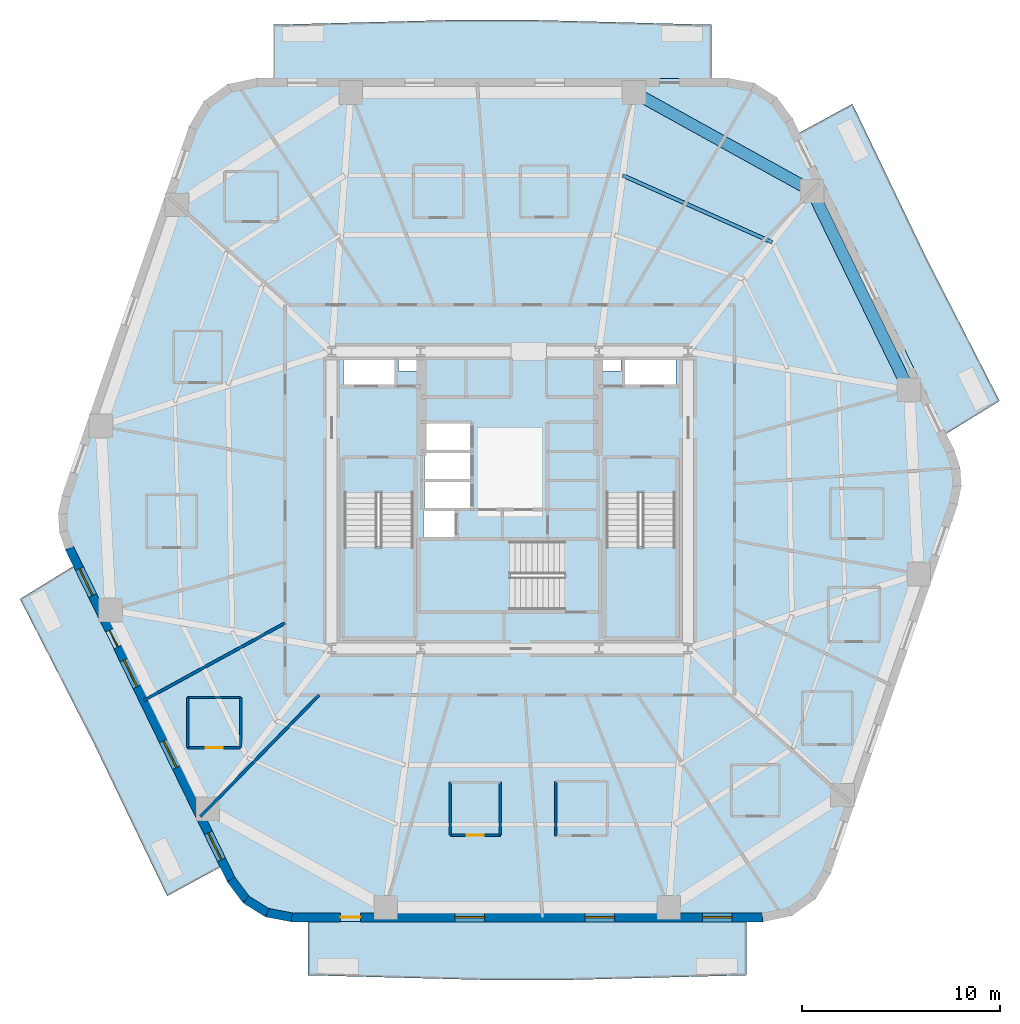
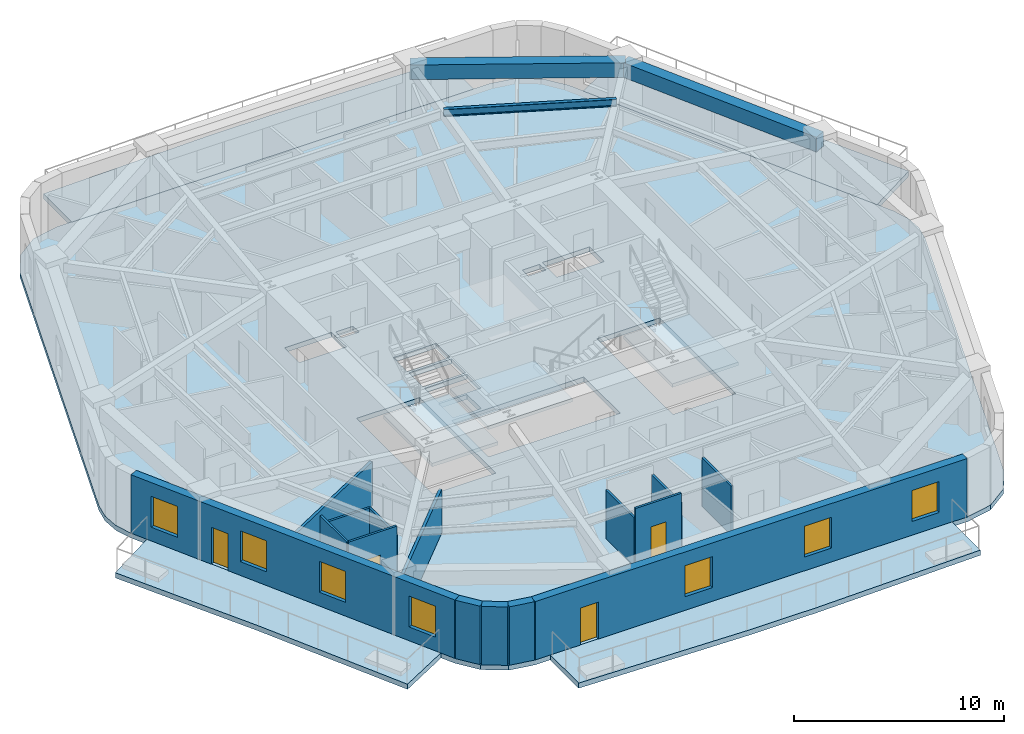
# One storey, part 2 of 10: 15 walls, 8 slabs, 7 windows, 4 doors, 3 beams, 11 openings, 3 elements without a shape of their own.
"""IFC4 building model written with IfcOpenShell, lengths in metres."""

from ifc_helpers import new_model, si_unit, direction, frame, frame_2d, origin, origin_2d, place, context, subcontext, project, spatial, polyline, rectangle, i_section, outline, extrude, material, layer, layer_set, material_profile, profile_set, type_object, element, fill, aggregate, save


model = new_model("IFC4")

# Units and contexts
model_context = context("Model", 3, precision=1e-05, world=origin(), true_north=direction((0.0, 1.0)))
body_context = subcontext(model_context, "Body", "Model", "MODEL_VIEW")
ifc_project = project(units=[si_unit("LENGTHUNIT", "METRE"), si_unit("AREAUNIT", "SQUARE_METRE"), si_unit("VOLUMEUNIT", "CUBIC_METRE"), si_unit("PLANEANGLEUNIT", "RADIAN"), si_unit("MASSUNIT", "GRAM", prefix="KILO")], contexts=[model_context])

# Site, building, storey
site_placement = place(None, origin())
site = spatial("IfcSite", under=ifc_project, at=site_placement, CompositionType="ELEMENT")
building_placement = place(site_placement, origin())
building = spatial("IfcBuilding", under=site, at=building_placement, Name="Kilnhurst Terrace Hotel", CompositionType="ELEMENT")
storey_placement = place(building_placement, frame((0.0, 0.0, 95.10009765625)))
storey = spatial("IfcBuildingStorey", under=building, at=storey_placement, Name="L22", CompositionType="ELEMENT", Elevation=95.10009765625)

# Beams
ifc_material_1 = material(Name="Concrete C50/60", Category="concrete")
ifc_material_profile_1 = material_profile(ifc_material_1, rectangle(XDim=0.60009765625, YDim=0.85009765625, at=origin_2d()), Name="RC600X850")
ifc_profile_set_1 = profile_set([ifc_material_profile_1], Name="Concrete C50/60")
beam_type_1 = type_object("IfcBeamType", Name="BM-SPN-600X850", PredefinedType="SPANDREL", material=ifc_profile_set_1)
beam_1_placement = place(storey_placement, frame((20.1640625, 5.549072265625, 2.974853515625), z_axis=(-0.438406012271, 0.89877704043, 0.0), x_axis=(-0.89877704043, -0.438406012271, 0.0)))
element("IfcBeam", 1, at=beam_1_placement, inside=storey, type_object=beam_type_1, Name="L22 Perimeter Spandrel Beam 5", PredefinedType="SPANDREL", context=body_context, shape_type="SweptSolid", body=[
    extrude(rectangle(XDim=0.60009765625, YDim=0.85009765625, at=origin_2d()), origin(), (0.0, 0.0, 1.0), 11.19287109375),
])
beam_2_placement = place(storey_placement, frame((15.257080078125, 15.60888671875, 2.974853515625), z_axis=(-0.875094010429, 0.483952965598, 0.0), x_axis=(-0.483952965598, -0.875094010429, 0.0)))
element("IfcBeam", 2, at=beam_2_placement, inside=storey, type_object=beam_type_1, Name="L22 Perimeter Spandrel Beam 6", PredefinedType="SPANDREL", context=body_context, shape_type="SweptSolid", body=[
    extrude(rectangle(XDim=0.60009765625, YDim=0.85009765625, at=origin_2d()), origin(), (0.0, 0.0, 1.0), 10.27197265625),
])
ifc_material_2 = material(Name="Steel ASTM A992 Grade 50", Category="steel")
ifc_material_profile_2 = material_profile(ifc_material_2, i_section(OverallWidth=0.180908203125, OverallDepth=0.417236328125, WebThickness=0.010986328125, FlangeThickness=0.018310546875, at=origin_2d()), Name="W16X57")
ifc_profile_set_2 = profile_set([ifc_material_profile_2], Name="Steel ASTM A992 Grade 50")
beam_type_2 = type_object("IfcBeamType", Name="JST-STL-W16X57", PredefinedType="JOIST", material=ifc_profile_set_2)
beam_3_placement = place(storey_placement, frame((13.2548828125, 13.01416015625, 3.19091796875), z_axis=(-0.912760935806, 0.408494154262, 0.0), x_axis=(-0.408494154262, -0.912760935806, 0.0)))
element("IfcBeam", 3, at=beam_3_placement, inside=storey, type_object=beam_type_2, Name="L22 Secondary Floor Steel Joist OUT.6", PredefinedType="JOIST", context=body_context, shape_type="SweptSolid", body=[
    extrude(i_section(OverallWidth=0.180908203125, OverallDepth=0.417236328125, WebThickness=0.010986328125, FlangeThickness=0.018310546875, at=origin_2d()), origin(), (0.0, 0.0, 1.0), 8.274658203125),
])

# Slabs
ifc_layer_1 = layer(ifc_material_1, 0.300048828125, Name="Concrete C50/60")
ifc_layer_set_1 = layer_set([ifc_layer_1], Name="Concrete C50/60")
slab_type_1 = type_object("IfcSlabType", Name="SLB-BAL-300", PredefinedType="FLOOR", material=ifc_layer_set_1)
slab_1_placement = place(storey_placement, frame((0.0, 0.0, -0.300048828125)))
element("IfcSlab", 4, at=slab_1_placement, inside=storey, type_object=slab_type_1, Name="L22 Cantilevered Planted Terrace Slab BAL-L1A", PredefinedType="FLOOR", context=body_context, shape_type="SweptSolid", body=[
    extrude(outline(polyline([(21.044921875, 12.205810546875), (24.734130859375, 5.0), (22.023193359375, 3.333740234375), (14.6083984375, 18.53564453125), (17.301513671875, 20.0), (21.044921875, 12.205810546875)])), origin(), (0.0, 0.0, 1.0), 0.300048828125),
])
slab_2_placement = place(storey_placement, frame((0.0, 0.0, -0.300048828125)))
element("IfcSlab", 5, at=slab_2_placement, inside=storey, type_object=slab_type_1, Name="L22 Cantilevered Planted Terrace Slab BAL-L1B", PredefinedType="FLOOR", context=body_context, shape_type="SweptSolid", body=[
    extrude(outline(polyline([(1.027099609375, 24.239990234375), (10.18310546875, 24.0), (10.18310546875, 21.280029296875), (-11.943603515625, 21.280029296875), (-11.943603515625, 24.0), (-2.787841796875, 24.239990234375), (1.027099609375, 24.239990234375)])), origin(), (0.0, 0.0, 1.0), 0.300048828125),
])
slab_3_placement = place(storey_placement, frame((0.0, 0.0, -0.300048828125)))
element("IfcSlab", 6, at=slab_3_placement, inside=storey, type_object=slab_type_1, Name="L22 Cantilevered Planted Terrace Slab BAL-L2A", PredefinedType="FLOOR", context=body_context, shape_type="SweptSolid", body=[
    extrude(outline(polyline([(-24.734130859375, -5.0), (-22.023193359375, -3.333740234375), (-14.6083984375, -18.53564453125), (-17.301513671875, -20.0), (-21.044921875, -12.205810546875), (-24.734130859375, -5.0)])), origin(), (0.0, 0.0, 1.0), 0.300048828125),
])
slab_4_placement = place(storey_placement, frame((0.0, 0.0, -0.300048828125)))
element("IfcSlab", 7, at=slab_4_placement, inside=storey, type_object=slab_type_1, Name="L22 Cantilevered Planted Terrace Slab BAL-L2B", PredefinedType="FLOOR", context=body_context, shape_type="SweptSolid", body=[
    extrude(outline(polyline([(-1.027099609375, -24.239990234375), (-10.18310546875, -24.0), (-10.18310546875, -21.280029296875), (11.943603515625, -21.280029296875), (11.943603515625, -24.0), (2.787841796875, -24.239990234375), (-1.027099609375, -24.239990234375)])), origin(), (0.0, 0.0, 1.0), 0.300048828125),
])
ifc_layer_2 = layer(ifc_material_1, 0.280029296875, Name="Concrete C50/60")
ifc_layer_set_2 = layer_set([ifc_layer_2], Name="Concrete C50/60")
slab_type_2 = type_object("IfcSlabType", Name="SLB-FLR-280", PredefinedType="FLOOR", material=ifc_layer_set_2)
slab_5_placement = place(storey_placement, frame((0.0, 0.0, -0.280029296875)))
element("IfcSlab", 8, at=slab_5_placement, inside=storey, type_object=slab_type_2, Name="L22 Structural Floor Slab", PredefinedType="FLOOR", context=body_context, shape_type="SweptSolid", body=[
    extrude(outline(polyline([(-14.2685546875, -19.2783203125), (-13.472900390625, -20.34716796875), (-12.342529296875, -21.05322265625), (-11.032958984375, -21.300048828125), (12.793701171875, -21.300048828125), (14.23876953125, -20.997314453125), (15.44091796875, -20.139892578125), (16.197509765625, -18.872314453125), (22.614501953125, -0.238525390625), (22.8017578125, 0.6826171875), (22.744384765625, 1.62060546875), (22.4462890625, 2.51171875), (14.2685546875, 19.2783203125), (13.472900390625, 20.34716796875), (12.342529296875, 21.05322265625), (11.032958984375, 21.300048828125), (-12.793701171875, 21.300048828125), (-14.23876953125, 20.997314453125), (-15.44091796875, 20.139892578125), (-16.197509765625, 18.872314453125), (-22.614501953125, 0.238525390625), (-22.8017578125, -0.6826171875), (-22.744384765625, -1.62060546875), (-22.4462890625, -2.51171875), (-14.2685546875, -19.2783203125)]), holes=[polyline([(-8.35009765625, 0.35498046875), (-4.8798828125, 0.35498046875), (-4.8798828125, -6.89990234375), (-8.35009765625, -6.89990234375), (-8.35009765625, 0.35498046875)]), polyline([(-2.800048828125, -1.89990234375), (-4.35009765625, -1.89990234375), (-4.35009765625, -0.550048828125), (-2.800048828125, -0.550048828125), (-2.800048828125, -1.89990234375)]), polyline([(-1.949951171875, -0.429931640625), (-4.300048828125, -0.429931640625), (-4.300048828125, 0.89990234375), (-1.949951171875, 0.89990234375), (-1.949951171875, -0.429931640625)]), polyline([(-4.300048828125, 1.050048828125), (-4.300048828125, 2.3798828125), (-1.949951171875, 2.3798828125), (-1.949951171875, 1.050048828125), (-4.300048828125, 1.050048828125)]), polyline([(-8.39990234375, 5.75), (-8.39990234375, 7.14990234375), (-5.800048828125, 7.14990234375), (-5.800048828125, 5.75), (-8.39990234375, 5.75)]), polyline([(-4.659912109375, 6.52001953125), (-5.6201171875, 6.52001953125), (-5.6201171875, 7.080078125), (-4.659912109375, 7.080078125), (-4.659912109375, 6.52001953125)]), polyline([(2.7548828125, -5.550048828125), (-4.5, -5.550048828125), (-4.5, -2.080078125), (2.7548828125, -2.080078125), (2.7548828125, -5.550048828125)]), polyline([(8.35009765625, 0.35498046875), (8.35009765625, -6.89990234375), (4.8798828125, -6.89990234375), (4.8798828125, 0.35498046875), (8.35009765625, 0.35498046875)]), polyline([(-1.949951171875, 2.530029296875), (-4.300048828125, 2.530029296875), (-4.300048828125, 3.860107421875), (-1.949951171875, 3.860107421875), (-1.949951171875, 2.530029296875)]), polyline([(5.800048828125, 5.75), (5.800048828125, 7.14990234375), (8.39990234375, 7.14990234375), (8.39990234375, 5.75), (5.800048828125, 5.75)]), polyline([(4.659912109375, 6.52001953125), (4.659912109375, 7.080078125), (5.6201171875, 7.080078125), (5.6201171875, 6.52001953125), (4.659912109375, 6.52001953125)])]), origin(), (0.0, 0.0, 1.0), 0.280029296875),
])

# Stair, slab
stair_type = type_object("IfcStairType", Name="STR-CORE-1660", PredefinedType="HALF_TURN_STAIR", material=ifc_material_1)
stair_1_placement = place(storey_placement, origin())
stair_1 = element("IfcStair", 9, at=stair_1_placement, inside=storey, type_object=stair_type, Name="L22 ST-1", PredefinedType="HALF_TURN_STAIR")
ifc_layer_3 = layer(ifc_material_1, 0.199951171875, Name="Concrete C50/60")
ifc_layer_set_3 = layer_set([ifc_layer_3], Name="Concrete C50/60")
slab_type_3 = type_object("IfcSlabType", Name="SLB-ST-LND-200", PredefinedType="LANDING", material=ifc_layer_set_3)
slab_6_placement = place(storey_placement, frame((0.0, 0.0, 1.64990234375)))
slab_6 = element("IfcSlab", 10, at=slab_6_placement, type_object=slab_type_3, Name="ST-1 landing 1", PredefinedType="LANDING", context=body_context, shape_type="SweptSolid", body=[
    extrude(outline(polyline([(-8.429931640625, -2.330078125), (-4.800048828125, -2.330078125), (-4.800048828125, -6.97998046875), (-8.429931640625, -6.97998046875), (-8.429931640625, -2.330078125)])), origin(), (0.0, 0.0, 1.0), 0.199951171875),
])
aggregate(stair_1, [slab_6])

stair_2_placement = place(storey_placement, origin())
stair_2 = element("IfcStair", 11, at=stair_2_placement, inside=storey, type_object=stair_type, Name="L22 ST-2", PredefinedType="HALF_TURN_STAIR")
slab_7_placement = place(storey_placement, frame((0.0, 0.0, 1.64990234375)))
slab_7 = element("IfcSlab", 12, at=slab_7_placement, type_object=slab_type_3, Name="ST-2 landing 1", PredefinedType="LANDING", context=body_context, shape_type="SweptSolid", body=[
    extrude(outline(polyline([(4.800048828125, -2.330078125), (8.429931640625, -2.330078125), (8.429931640625, -6.97998046875), (4.800048828125, -6.97998046875), (4.800048828125, -2.330078125)])), origin(), (0.0, 0.0, 1.0), 0.199951171875),
])
aggregate(stair_2, [slab_7])

stair_3_placement = place(storey_placement, origin())
stair_3 = element("IfcStair", 13, at=stair_3_placement, inside=storey, type_object=stair_type, Name="L22 ST-3", PredefinedType="HALF_TURN_STAIR")
slab_8_placement = place(storey_placement, frame((0.0, 0.0, 1.64990234375)))
slab_8 = element("IfcSlab", 14, at=slab_8_placement, type_object=slab_type_3, Name="ST-3 landing 1", PredefinedType="LANDING", context=body_context, shape_type="SweptSolid", body=[
    extrude(outline(polyline([(0.070068359375, -2.0), (0.070068359375, -5.6298828125), (-4.580078125, -5.6298828125), (-4.580078125, -2.0), (0.070068359375, -2.0)])), origin(), (0.0, 0.0, 1.0), 0.199951171875),
])
aggregate(stair_3, [slab_8])

# Walls
ifc_material_3 = material(Name="Precast concrete C40/50", Category="concrete")
ifc_layer_4 = layer(ifc_material_3, 0.449951171875, Name="Precast concrete C40/50")
ifc_layer_set_4 = layer_set([ifc_layer_4], Name="Precast concrete C40/50")
wall_type_1 = type_object("IfcWallType", Name="WL-BRK-450", PredefinedType="SOLIDWALL", material=ifc_layer_set_4)
wall_1_placement = place(storey_placement, frame((-14.07568359375, -19.16064453125, 0.0), z_axis=(0.0, 0.0, 1.0), x_axis=(0.597226657159, -0.802072515412, 0.0)))
element("IfcWall", 15, at=wall_1_placement, inside=storey, type_object=wall_type_1, Name="L22 Rounded Corner Brick Wall C1.1", PredefinedType="SOLIDWALL", context=body_context, shape_type="SweptSolid", body=[
    extrude(rectangle(XDim=1.269287109375, YDim=0.449951171875, at=frame_2d((0.634765625, 0.0))), origin(), (0.0, 0.0, 1.0), 3.39990234375),
])
wall_2_placement = place(storey_placement, frame((-13.317626953125, -20.1787109375, 0.0), z_axis=(0.0, 0.0, 1.0), x_axis=(0.848031272749, -0.529946186362, 0.0)))
element("IfcWall", 16, at=wall_2_placement, inside=storey, type_object=wall_type_1, Name="L22 Rounded Corner Brick Wall C1.2", PredefinedType="SOLIDWALL", context=body_context, shape_type="SweptSolid", body=[
    extrude(rectangle(XDim=1.248046875, YDim=0.449951171875, at=frame_2d((0.6240234375, 0.0))), origin(), (0.0, 0.0, 1.0), 3.39990234375),
])
wall_3_placement = place(storey_placement, frame((-12.25927734375, -20.840087890625, 0.0), z_axis=(0.0, 0.0, 1.0), x_axis=(0.982730354425, -0.185043374624, 0.0)))
element("IfcWall", 17, at=wall_3_placement, inside=storey, type_object=wall_type_1, Name="L22 Rounded Corner Brick Wall C1.3", PredefinedType="SOLIDWALL", context=body_context, shape_type="SweptSolid", body=[
    extrude(rectangle(XDim=1.269287109375, YDim=0.449951171875, at=frame_2d((0.634765625, 0.0))), origin(), (0.0, 0.0, 1.0), 3.39990234375),
])

# Wall, openings, door, windows
wall_4_placement = place(storey_placement, frame((-11.011962890625, -21.074951171875, 0.0), z_axis=(0.0, 0.0, 1.0), x_axis=(1.0, 0.0, 0.0)))
wall_4 = element("IfcWall", 18, at=wall_4_placement, inside=storey, type_object=wall_type_1, Name="L22 Exterior Brick Facade Wall F1", PredefinedType="SOLIDWALL", context=body_context, shape_type="SweptSolid", body=[
    extrude(rectangle(XDim=23.782470703125, YDim=0.449951171875, at=frame_2d((11.89111328125, 0.0))), origin(), (0.0, 0.0, 1.0), 3.39990234375),
])
opening_1_placement = place(wall_4_placement, frame((2.472900390625, 0.0, 0.0)))
opening_1 = element("IfcOpeningElement", 19, at=opening_1_placement, cuts=wall_4, Name="Opening BD-1000", PredefinedType="OPENING", context=body_context, shape_type="SweptSolid", body=[
    extrude(rectangle(XDim=1.0, YDim=2.14990234375, at=frame_2d((0.5, 1.074951171875))), frame((0.0, 0.23486328125, 0.0), z_axis=(0.0, -1.0, 0.0), x_axis=(1.0, 0.0, 0.0)), (0.0, 0.0, 1.0), 0.469970703125),
])
opening_2_placement = place(wall_4_placement, frame((8.243896484375, 0.0, 0.800048828125)))
opening_2 = element("IfcOpeningElement", 20, at=opening_2_placement, cuts=wall_4, Name="Opening W-02", PredefinedType="OPENING", context=body_context, shape_type="SweptSolid", body=[
    extrude(rectangle(XDim=1.5, YDim=1.800048828125, at=frame_2d((0.75, 0.89990234375))), frame((0.0, 0.23486328125, 0.0), z_axis=(0.0, -1.0, 0.0), x_axis=(1.0, 0.0, 0.0)), (0.0, 0.0, 1.0), 0.469970703125),
])
opening_3_placement = place(wall_4_placement, frame((14.81103515625, 0.0, 0.800048828125)))
opening_3 = element("IfcOpeningElement", 21, at=opening_3_placement, cuts=wall_4, Name="Opening W-02", PredefinedType="OPENING", context=body_context, shape_type="SweptSolid", body=[
    extrude(rectangle(XDim=1.5, YDim=1.800048828125, at=frame_2d((0.75, 0.89990234375))), frame((0.0, 0.23486328125, 0.0), z_axis=(0.0, -1.0, 0.0), x_axis=(1.0, 0.0, 0.0)), (0.0, 0.0, 1.0), 0.469970703125),
])
opening_4_placement = place(wall_4_placement, frame((20.740966796875, 0.0, 0.800048828125)))
opening_4 = element("IfcOpeningElement", 22, at=opening_4_placement, cuts=wall_4, Name="Opening W-02", PredefinedType="OPENING", context=body_context, shape_type="SweptSolid", body=[
    extrude(rectangle(XDim=1.5, YDim=1.800048828125, at=frame_2d((0.75, 0.89990234375))), frame((0.0, 0.23486328125, 0.0), z_axis=(0.0, -1.0, 0.0), x_axis=(1.0, 0.0, 0.0)), (0.0, 0.0, 1.0), 0.469970703125),
])
ifc_material_4 = material(Name="Thermally Broken Bronze Aluminium Alloy 6063-T6 and Laminated Glass", Category="aluminium")
door_type_1 = type_object("IfcDoorType", Name="DR-EXT-BAL-1000", OperationType="NOTDEFINED", PredefinedType="DOOR", material=ifc_material_4)
door_1_placement = place(opening_1_placement, origin())
door_1 = element("IfcDoor", 23, at=door_1_placement, inside=storey, type_object=door_type_1, Name="L22 Planted Balcony Door BAL-L2B", OperationType="SINGLE_SWING_LEFT", OverallHeight=2.14990234375, OverallWidth=1.0, PredefinedType="DOOR", context=body_context, shape_type="SweptSolid", body=[
    extrude(rectangle(XDim=1.0, YDim=2.14990234375, at=frame_2d((0.5, 1.074951171875))), frame((0.0, 0.02490234375, 0.0), z_axis=(0.0, -1.0, 0.0), x_axis=(1.0, 0.0, 0.0)), (0.0, 0.0, 1.0), 0.050048828125),
])
fill(opening_1, door_1)
ifc_material_5 = material(Name="Thermally Broken Bronze Aluminium Alloy 6063-T6 and Low-E Glass", Category="aluminium")
window_type = type_object("IfcWindowType", Name="WIN-1500X1800", PartitioningType="SINGLE_PANEL", PredefinedType="WINDOW", material=ifc_material_5)
window_1_placement = place(opening_2_placement, origin())
window_1 = element("IfcWindow", 24, at=window_1_placement, inside=storey, type_object=window_type, Name="L22 Deep-Set Masonry Window F1.1", OverallHeight=1.800048828125, OverallWidth=1.5, PartitioningType="SINGLE_PANEL", PredefinedType="WINDOW", context=body_context, shape_type="SweptSolid", body=[
    extrude(rectangle(XDim=1.5, YDim=1.800048828125, at=frame_2d((0.75, 0.89990234375))), frame((0.0, 0.030029296875, 0.0), z_axis=(0.0, -1.0, 0.0), x_axis=(1.0, 0.0, 0.0)), (0.0, 0.0, 1.0), 0.06005859375),
])
fill(opening_2, window_1)
window_2_placement = place(opening_3_placement, origin())
window_2 = element("IfcWindow", 25, at=window_2_placement, inside=storey, type_object=window_type, Name="L22 Deep-Set Masonry Window F1.2", OverallHeight=1.800048828125, OverallWidth=1.5, PartitioningType="SINGLE_PANEL", PredefinedType="WINDOW", context=body_context, shape_type="SweptSolid", body=[
    extrude(rectangle(XDim=1.5, YDim=1.800048828125, at=frame_2d((0.75, 0.89990234375))), frame((0.0, 0.030029296875, 0.0), z_axis=(0.0, -1.0, 0.0), x_axis=(1.0, 0.0, 0.0)), (0.0, 0.0, 1.0), 0.06005859375),
])
fill(opening_3, window_2)
window_3_placement = place(opening_4_placement, origin())
window_3 = element("IfcWindow", 26, at=window_3_placement, inside=storey, type_object=window_type, Name="L22 Deep-Set Masonry Window F1.3", OverallHeight=1.800048828125, OverallWidth=1.5, PartitioningType="SINGLE_PANEL", PredefinedType="WINDOW", context=body_context, shape_type="SweptSolid", body=[
    extrude(rectangle(XDim=1.5, YDim=1.800048828125, at=frame_2d((0.75, 0.89990234375))), frame((0.0, 0.030029296875, 0.0), z_axis=(0.0, -1.0, 0.0), x_axis=(1.0, 0.0, 0.0)), (0.0, 0.0, 1.0), 0.06005859375),
])
fill(opening_4, window_3)

wall_5_placement = place(storey_placement, frame((-22.237548828125, -2.426513671875, 0.0), z_axis=(0.0, 0.0, 1.0), x_axis=(0.438374803278, -0.898792262901, 0.0)))
wall_5 = element("IfcWall", 27, at=wall_5_placement, inside=storey, type_object=wall_type_1, Name="L22 Exterior Brick Facade Wall F6", PredefinedType="SOLIDWALL", context=body_context, shape_type="SweptSolid", body=[
    extrude(rectangle(XDim=18.618408203125, YDim=0.449951171875, at=frame_2d((9.30908203125, 0.0))), origin(), (0.0, 0.0, 1.0), 3.39990234375),
])
opening_5_placement = place(wall_5_placement, frame((4.6201171875, 0.0, 0.0)))
opening_5 = element("IfcOpeningElement", 28, at=opening_5_placement, cuts=wall_5, Name="Opening BD-950", PredefinedType="OPENING", context=body_context, shape_type="SweptSolid", body=[
    extrude(rectangle(XDim=0.949951171875, YDim=2.14990234375, at=frame_2d((0.47509765625, 1.074951171875))), frame((0.0, 0.23486328125, 0.0), z_axis=(0.0, -1.0, 0.0), x_axis=(1.0, 0.0, 0.0)), (0.0, 0.0, 1.0), 0.469970703125),
])
opening_6_placement = place(wall_5_placement, frame((1.1630859375, 0.0, 0.800048828125)))
opening_6 = element("IfcOpeningElement", 29, at=opening_6_placement, cuts=wall_5, Name="Opening W-02", PredefinedType="OPENING", context=body_context, shape_type="SweptSolid", body=[
    extrude(rectangle(XDim=1.5, YDim=1.800048828125, at=frame_2d((0.75, 0.89990234375))), frame((0.0, 0.23486328125, 0.0), z_axis=(0.0, -1.0, 0.0), x_axis=(1.0, 0.0, 0.0)), (0.0, 0.0, 1.0), 0.469970703125),
])
opening_7_placement = place(wall_5_placement, frame((6.291015625, 0.0, 0.800048828125)))
opening_7 = element("IfcOpeningElement", 30, at=opening_7_placement, cuts=wall_5, Name="Opening W-02", PredefinedType="OPENING", context=body_context, shape_type="SweptSolid", body=[
    extrude(rectangle(XDim=1.5, YDim=1.800048828125, at=frame_2d((0.75, 0.89990234375))), frame((0.0, 0.23486328125, 0.0), z_axis=(0.0, -1.0, 0.0), x_axis=(1.0, 0.0, 0.0)), (0.0, 0.0, 1.0), 0.469970703125),
])
opening_8_placement = place(wall_5_placement, frame((10.8310546875, 0.0, 0.800048828125)))
opening_8 = element("IfcOpeningElement", 31, at=opening_8_placement, cuts=wall_5, Name="Opening W-02", PredefinedType="OPENING", context=body_context, shape_type="SweptSolid", body=[
    extrude(rectangle(XDim=1.5, YDim=1.800048828125, at=frame_2d((0.75, 0.89990234375))), frame((0.0, 0.23486328125, 0.0), z_axis=(0.0, -1.0, 0.0), x_axis=(1.0, 0.0, 0.0)), (0.0, 0.0, 1.0), 0.469970703125),
])
opening_9_placement = place(wall_5_placement, frame((16.006103515625, 0.0, 0.800048828125)))
opening_9 = element("IfcOpeningElement", 32, at=opening_9_placement, cuts=wall_5, Name="Opening W-02", PredefinedType="OPENING", context=body_context, shape_type="SweptSolid", body=[
    extrude(rectangle(XDim=1.5, YDim=1.800048828125, at=frame_2d((0.75, 0.89990234375))), frame((0.0, 0.23486328125, 0.0), z_axis=(0.0, -1.0, 0.0), x_axis=(1.0, 0.0, 0.0)), (0.0, 0.0, 1.0), 0.469970703125),
])
door_type_2 = type_object("IfcDoorType", Name="DR-EXT-BAL-950", OperationType="NOTDEFINED", PredefinedType="DOOR", material=ifc_material_4)
door_2_placement = place(opening_5_placement, origin())
door_2 = element("IfcDoor", 33, at=door_2_placement, inside=storey, type_object=door_type_2, Name="L22 Planted Balcony Door BAL-L2A", OperationType="SINGLE_SWING_RIGHT", OverallHeight=2.14990234375, OverallWidth=0.949951171875, PredefinedType="DOOR", context=body_context, shape_type="SweptSolid", body=[
    extrude(rectangle(XDim=0.949951171875, YDim=2.14990234375, at=frame_2d((0.47509765625, 1.074951171875))), frame((0.0, 0.02490234375, 0.0), z_axis=(0.0, -1.0, 0.0), x_axis=(1.0, 0.0, 0.0)), (0.0, 0.0, 1.0), 0.050048828125),
])
fill(opening_5, door_2)
window_4_placement = place(opening_6_placement, origin())
window_4 = element("IfcWindow", 34, at=window_4_placement, inside=storey, type_object=window_type, Name="L22 Deep-Set Masonry Window F6.1", OverallHeight=1.800048828125, OverallWidth=1.5, PartitioningType="SINGLE_PANEL", PredefinedType="WINDOW", context=body_context, shape_type="SweptSolid", body=[
    extrude(rectangle(XDim=1.5, YDim=1.800048828125, at=frame_2d((0.75, 0.89990234375))), frame((0.0, 0.030029296875, 0.0), z_axis=(0.0, -1.0, 0.0), x_axis=(1.0, 0.0, 0.0)), (0.0, 0.0, 1.0), 0.06005859375),
])
fill(opening_6, window_4)
window_5_placement = place(opening_7_placement, origin())
window_5 = element("IfcWindow", 35, at=window_5_placement, inside=storey, type_object=window_type, Name="L22 Deep-Set Masonry Window F6.2", OverallHeight=1.800048828125, OverallWidth=1.5, PartitioningType="SINGLE_PANEL", PredefinedType="WINDOW", context=body_context, shape_type="SweptSolid", body=[
    extrude(rectangle(XDim=1.5, YDim=1.800048828125, at=frame_2d((0.75, 0.89990234375))), frame((0.0, 0.030029296875, 0.0), z_axis=(0.0, -1.0, 0.0), x_axis=(1.0, 0.0, 0.0)), (0.0, 0.0, 1.0), 0.06005859375),
])
fill(opening_7, window_5)
window_6_placement = place(opening_8_placement, origin())
window_6 = element("IfcWindow", 36, at=window_6_placement, inside=storey, type_object=window_type, Name="L22 Deep-Set Masonry Window F6.3", OverallHeight=1.800048828125, OverallWidth=1.5, PartitioningType="SINGLE_PANEL", PredefinedType="WINDOW", context=body_context, shape_type="SweptSolid", body=[
    extrude(rectangle(XDim=1.5, YDim=1.800048828125, at=frame_2d((0.75, 0.89990234375))), frame((0.0, 0.030029296875, 0.0), z_axis=(0.0, -1.0, 0.0), x_axis=(1.0, 0.0, 0.0)), (0.0, 0.0, 1.0), 0.06005859375),
])
fill(opening_8, window_6)
window_7_placement = place(opening_9_placement, origin())
window_7 = element("IfcWindow", 37, at=window_7_placement, inside=storey, type_object=window_type, Name="L22 Deep-Set Masonry Window F6.4", OverallHeight=1.800048828125, OverallWidth=1.5, PartitioningType="SINGLE_PANEL", PredefinedType="WINDOW", context=body_context, shape_type="SweptSolid", body=[
    extrude(rectangle(XDim=1.5, YDim=1.800048828125, at=frame_2d((0.75, 0.89990234375))), frame((0.0, 0.030029296875, 0.0), z_axis=(0.0, -1.0, 0.0), x_axis=(1.0, 0.0, 0.0)), (0.0, 0.0, 1.0), 0.06005859375),
])
fill(opening_9, window_7)

# Walls
ifc_material_6 = material(Name="STC-58 Acoustic Twin-Frame Guestroom Demising Partition")
ifc_layer_5 = layer(ifc_material_6, 0.14990234375, Name="STC-58 Acoustic Twin-Frame Guestroom Demising Partition")
ifc_layer_set_5 = layer_set([ifc_layer_5], Name="STC-58 Acoustic Twin-Frame Guestroom Demising Partition")
wall_type_2 = type_object("IfcWallType", Name="WL-DEM-150", PredefinedType="PARTITIONING", material=ifc_layer_set_5)
wall_6_placement = place(storey_placement, frame((-11.35009765625, -6.215087890625, 0.0), z_axis=(0.0, 0.0, 1.0), x_axis=(-0.877115535756, -0.480279436303, 0.0)))
element("IfcWall", 38, at=wall_6_placement, inside=storey, type_object=wall_type_2, Name="L22 Interior Wall WL-L22-DEM-MID07-12-1", PredefinedType="PARTITIONING", context=body_context, shape_type="SweptSolid", body=[
    extrude(rectangle(XDim=8.1337890625, YDim=0.14990234375, at=frame_2d((4.06689453125, 0.0))), origin(), (0.0, 0.0, 1.0), 2.539794921875),
])
wall_7_placement = place(storey_placement, frame((-9.6279296875, -9.85009765625, 0.0), z_axis=(0.0, 0.0, 1.0), x_axis=(-0.698992824326, -0.715128681805, 0.0)))
element("IfcWall", 39, at=wall_7_placement, inside=storey, type_object=wall_type_2, Name="L22 Interior Wall WL-L22-DEM-COL08-13-1", PredefinedType="PARTITIONING", context=body_context, shape_type="SweptSolid", body=[
    extrude(rectangle(XDim=8.578857421875, YDim=0.14990234375, at=frame_2d((4.28955078125, 0.0))), origin(), (0.0, 0.0, 1.0), 2.539794921875),
])

# Wall, opening, door
ifc_material_7 = material(Name="120 mm Moisture-Resistant Tile-Backed Bathroom Partition")
ifc_layer_6 = layer(ifc_material_7, 0.1201171875, Name="120 mm Moisture-Resistant Tile-Backed Bathroom Partition")
ifc_layer_set_6 = layer_set([ifc_layer_6], Name="120 mm Moisture-Resistant Tile-Backed Bathroom Partition")
wall_type_3 = type_object("IfcWallType", Name="WL-PART-120", PredefinedType="PARTITIONING", material=ifc_layer_set_6)
wall_8_placement = place(storey_placement, frame((-16.27099609375, -12.510986328125, 0.0), z_axis=(0.0, 0.0, 1.0), x_axis=(1.0, 0.0, 0.0)))
wall_8 = element("IfcWall", 40, at=wall_8_placement, inside=storey, type_object=wall_type_3, Name="L22 Interior Wall WL-L22-BTH-12-1", PredefinedType="PARTITIONING", context=body_context, shape_type="SweptSolid", body=[
    extrude(rectangle(XDim=2.679931640625, YDim=0.1201171875, at=frame_2d((1.33984375, 0.0))), origin(), (0.0, 0.0, 1.0), 3.39990234375),
])
opening_10_placement = place(wall_8_placement, frame((0.9150390625, 0.0, 0.0)))
opening_10 = element("IfcOpeningElement", 41, at=opening_10_placement, cuts=wall_8, Name="Opening D-08A", PredefinedType="OPENING", context=body_context, shape_type="SweptSolid", body=[
    extrude(rectangle(XDim=0.85009765625, YDim=2.030029296875, at=frame_2d((0.425048828125, 1.01513671875))), frame((0.0, 0.070068359375, 0.0), z_axis=(0.0, -1.0, 0.0), x_axis=(1.0, 0.0, 0.0)), (0.0, 0.0, 1.0), 0.14013671875),
])
ifc_material_8 = material(Name="Moisture-Resistant Lacquered En-suite Bathroom Door")
door_type_3 = type_object("IfcDoorType", Name="DR-INT-850", OperationType="NOTDEFINED", PredefinedType="DOOR", material=ifc_material_8)
door_3_placement = place(opening_10_placement, origin())
door_3 = element("IfcDoor", 42, at=door_3_placement, inside=storey, type_object=door_type_3, Name="L22 En-suite Bathroom Door 12", OperationType="SINGLE_SWING_LEFT", OverallHeight=2.030029296875, OverallWidth=0.85009765625, PredefinedType="DOOR", context=body_context, shape_type="SweptSolid", body=[
    extrude(rectangle(XDim=0.85009765625, YDim=2.030029296875, at=frame_2d((0.425048828125, 1.01513671875))), frame((0.0, 0.02490234375, 0.0), z_axis=(0.0, -1.0, 0.0), x_axis=(1.0, 0.0, 0.0)), (0.0, 0.0, 1.0), 0.050048828125),
])
fill(opening_10, door_3)

# Walls
wall_9_placement = place(storey_placement, frame((-13.591064453125, -12.510986328125, 0.0), z_axis=(0.0, 0.0, 1.0), x_axis=(0.0, 1.0, 0.0)))
element("IfcWall", 43, at=wall_9_placement, inside=storey, type_object=wall_type_3, Name="L22 Interior Wall WL-L22-BTH-12-2", PredefinedType="PARTITIONING", context=body_context, shape_type="SweptSolid", body=[
    extrude(rectangle(XDim=2.5400390625, YDim=0.1201171875, at=frame_2d((1.27001953125, 0.0))), origin(), (0.0, 0.0, 1.0), 2.926513671875),
])
wall_10_placement = place(storey_placement, frame((-13.591064453125, -9.970947265625, 0.0), z_axis=(0.0, 0.0, 1.0), x_axis=(-1.0, 0.0, 0.0)))
element("IfcWall", 44, at=wall_10_placement, inside=storey, type_object=wall_type_3, Name="L22 Interior Wall WL-L22-BTH-12-3", PredefinedType="PARTITIONING", context=body_context, shape_type="SweptSolid", body=[
    extrude(rectangle(XDim=2.679931640625, YDim=0.1201171875, at=frame_2d((1.33984375, 0.0))), origin(), (0.0, 0.0, 1.0), 2.926513671875),
])
wall_11_placement = place(storey_placement, frame((-16.27099609375, -9.970947265625, 0.0), z_axis=(0.0, 0.0, 1.0), x_axis=(0.0, -1.0, 0.0)))
element("IfcWall", 45, at=wall_11_placement, inside=storey, type_object=wall_type_3, Name="L22 Interior Wall WL-L22-BTH-12-4", PredefinedType="PARTITIONING", context=body_context, shape_type="SweptSolid", body=[
    extrude(rectangle(XDim=2.5400390625, YDim=0.1201171875, at=frame_2d((1.27001953125, 0.0))), origin(), (0.0, 0.0, 1.0), 3.39990234375),
])

# Wall, opening, door
wall_12_placement = place(storey_placement, frame((-3.0009765625, -16.927001953125, 0.0), z_axis=(0.0, 0.0, 1.0), x_axis=(1.0, 0.0, 0.0)))
wall_12 = element("IfcWall", 46, at=wall_12_placement, inside=storey, type_object=wall_type_3, Name="L22 Interior Wall WL-L22-BTH-14-1", PredefinedType="PARTITIONING", context=body_context, shape_type="SweptSolid", body=[
    extrude(rectangle(XDim=2.52001953125, YDim=0.1201171875, at=frame_2d((1.260009765625, 0.0))), origin(), (0.0, 0.0, 1.0), 3.39990234375),
])
opening_11_placement = place(wall_12_placement, frame((0.8349609375, 0.0, 0.0)))
opening_11 = element("IfcOpeningElement", 47, at=opening_11_placement, cuts=wall_12, Name="Opening D-08A", PredefinedType="OPENING", context=body_context, shape_type="SweptSolid", body=[
    extrude(rectangle(XDim=0.85009765625, YDim=2.030029296875, at=frame_2d((0.425048828125, 1.01513671875))), frame((0.0, 0.070068359375, 0.0), z_axis=(0.0, -1.0, 0.0), x_axis=(1.0, 0.0, 0.0)), (0.0, 0.0, 1.0), 0.14013671875),
])
door_4_placement = place(opening_11_placement, origin())
door_4 = element("IfcDoor", 48, at=door_4_placement, inside=storey, type_object=door_type_3, Name="L22 En-suite Bathroom Door 14", OperationType="SINGLE_SWING_LEFT", OverallHeight=2.030029296875, OverallWidth=0.85009765625, PredefinedType="DOOR", context=body_context, shape_type="SweptSolid", body=[
    extrude(rectangle(XDim=0.85009765625, YDim=2.030029296875, at=frame_2d((0.425048828125, 1.01513671875))), frame((0.0, 0.02490234375, 0.0), z_axis=(0.0, -1.0, 0.0), x_axis=(1.0, 0.0, 0.0)), (0.0, 0.0, 1.0), 0.050048828125),
])
fill(opening_11, door_4)

# Walls
for number, where, z_axis, x_axis, name in (
    (49, (-0.48095703125, -16.927001953125, 0.0), (0.0, 0.0, 1.0), (0.0, 1.0, 0.0), "L22 Interior Wall WL-L22-BTH-14-2"),
    (50, (-3.0009765625, -14.2470703125, 0.0), (0.0, 0.0, 1.0), (0.0, -1.0, 0.0), "L22 Interior Wall WL-L22-BTH-14-4"),
):
    element("IfcWall", number, at=place(storey_placement, frame(where, z_axis=z_axis, x_axis=x_axis)), inside=storey, type_object=wall_type_3, Name=name, PredefinedType="PARTITIONING", context=body_context, shape_type="SweptSolid", body=[
        extrude(rectangle(XDim=2.679931640625, YDim=0.1201171875, at=frame_2d((1.33984375, 0.0))), origin(), (0.0, 0.0, 1.0), 2.84033203125),
    ])
wall_13_placement = place(storey_placement, frame((2.31396484375, -14.2119140625, 0.0), z_axis=(0.0, 0.0, 1.0), x_axis=(0.0, -1.0, 0.0)))
element("IfcWall", 51, at=wall_13_placement, inside=storey, type_object=wall_type_3, Name="L22 Interior Wall WL-L22-BTH-15-4", PredefinedType="PARTITIONING", context=body_context, shape_type="SweptSolid", body=[
    extrude(rectangle(XDim=2.75, YDim=0.1201171875, at=frame_2d((1.375, 0.0))), origin(), (0.0, 0.0, 1.0), 2.84033203125),
])

save(model, "model.ifc")
